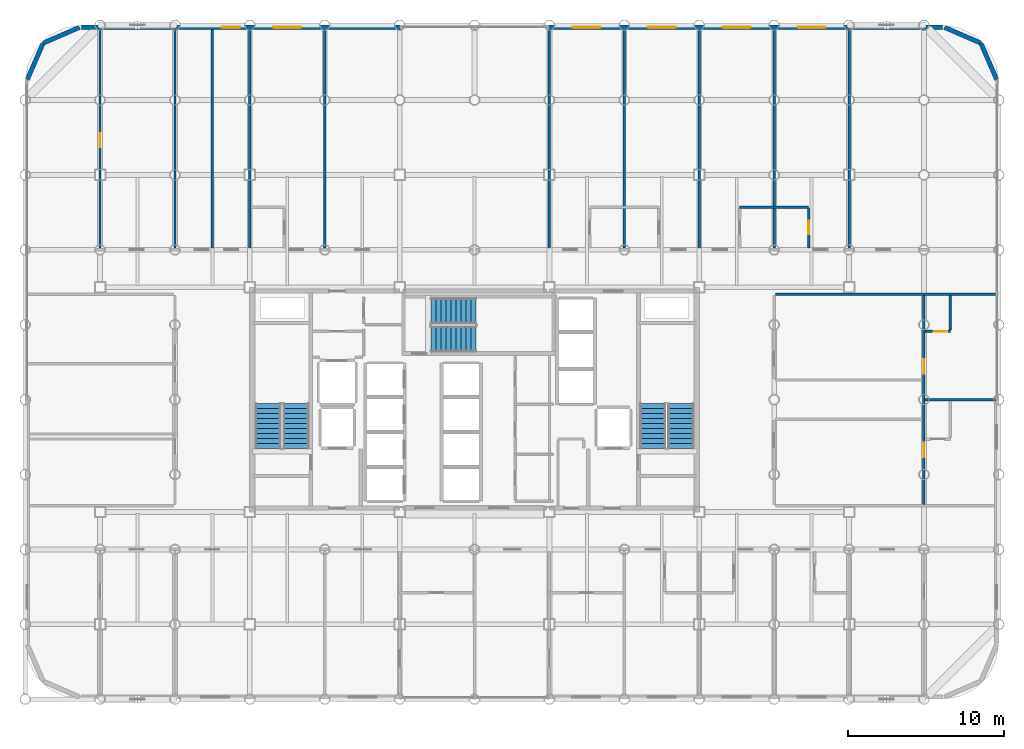
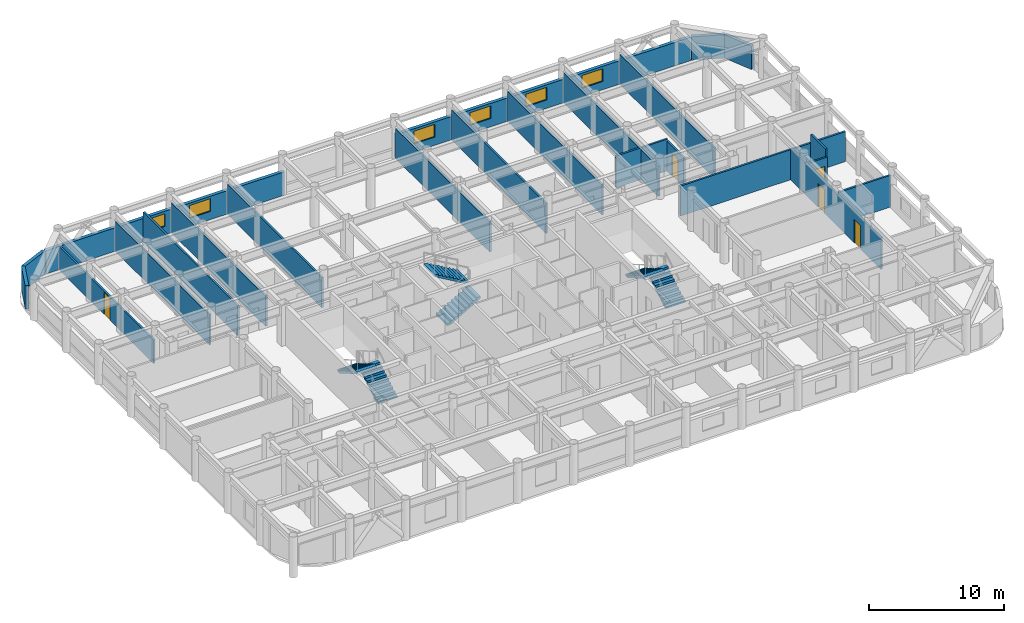
# One storey, part 21 of 22: 23 walls, 6 stair flights, 6 windows, 5 doors, 11 openings, 3 elements without a shape of their own.
"""IFC4 building model written with IfcOpenShell, lengths in metres."""

from ifc_helpers import new_model, si_unit, direction, frame, frame_2d, origin, place, context, subcontext, project, spatial, polyline, rectangle, outline, extrude, material, layer, layer_set, type_object, element, fill, aggregate, save


model = new_model("IFC4")

# Units and contexts
model_context = context("Model", 3, precision=1e-05, world=origin(), true_north=direction((0.0, 1.0)))
body_context = subcontext(model_context, "Body", "Model", "MODEL_VIEW")
ifc_project = project(units=[si_unit("LENGTHUNIT", "METRE"), si_unit("AREAUNIT", "SQUARE_METRE"), si_unit("VOLUMEUNIT", "CUBIC_METRE"), si_unit("PLANEANGLEUNIT", "RADIAN"), si_unit("MASSUNIT", "GRAM", prefix="KILO")], contexts=[model_context])

# Site, building, storey
site_placement = place(None, origin())
site = spatial("IfcSite", under=ifc_project, at=site_placement, CompositionType="ELEMENT")
building_placement = place(site_placement, origin())
building = spatial("IfcBuilding", under=site, at=building_placement, Name="Kallvorn Hotel Tower", CompositionType="ELEMENT")
storey_placement = place(building_placement, frame((0.0, 0.0, 117.39990234375)))
storey = spatial("IfcBuildingStorey", under=building, at=storey_placement, Name="L28", CompositionType="ELEMENT", Elevation=117.39990234375)

# Wall
ifc_material_1 = material(Name="Fire-rated double-layer acoustic gypsum drywall EI 60")
ifc_layer_1 = layer(ifc_material_1, 0.159912109375)
ifc_layer_set_1 = layer_set([ifc_layer_1], Name="WL_DEMISE_160")
wall_type_1 = type_object("IfcWallType", Name="WL_DEMISE_160", PredefinedType="PARTITIONING", material=ifc_layer_set_1)
wall_1_placement = place(storey_placement, frame((28.8798828125, 0.0, 0.0), z_axis=(0.0, 0.0, 1.0), x_axis=(1.0, 0.0, 0.0)))
element("IfcWall", 1, at=wall_1_placement, inside=storey, type_object=wall_type_1, Name="L28 Suite 2802 E Andean Twin Room Partition", PredefinedType="PARTITIONING", context=body_context, shape_type="SweptSolid", body=[
    extrude(rectangle(XDim=4.550048828125, YDim=0.159912109375, at=frame_2d((2.27490234375, 0.0))), origin(), (0.0, 0.0, 1.0), 2.8701171875),
])

# Wall, opening, door
wall_2_placement = place(storey_placement, frame((28.8798828125, 4.373291015625, 0.0), z_axis=(0.0, 0.0, 1.0), x_axis=(1.0, 0.0, 0.0)))
wall_2 = element("IfcWall", 2, at=wall_2_placement, inside=storey, type_object=wall_type_1, Name="L28 Suite 2802 E Andean Twin Room Partition", PredefinedType="PARTITIONING", context=body_context, shape_type="SweptSolid", body=[
    extrude(rectangle(XDim=1.6201171875, YDim=0.159912109375, at=frame_2d((0.81005859375, 0.0))), origin(), (0.0, 0.0, 1.0), 2.8701171875),
])
opening_1_placement = place(wall_2_placement, frame((0.5400390625, 0.0, 0.0)))
opening_1 = element("IfcOpeningElement", 3, at=opening_1_placement, cuts=wall_2, Name="Opening BD-I", PredefinedType="OPENING", context=body_context, shape_type="SweptSolid", body=[
    extrude(rectangle(XDim=0.860107421875, YDim=2.10009765625, at=frame_2d((0.43017578125, 1.050048828125))), frame((0.0, 0.094970703125, 0.0), z_axis=(0.0, -1.0, 0.0), x_axis=(1.0, 0.0, 0.0)), (0.0, 0.0, 1.0), 0.18994140625),
])
ifc_material_2 = material(Name="Solid-core walnut veneer fire-rated timber door leaf", Category="wood")
door_type_1 = type_object("IfcDoorType", Name="DR_BATH_860x2100", OperationType="NOTDEFINED", PredefinedType="DOOR", material=ifc_material_2)
door_1_placement = place(opening_1_placement, origin())
door_1 = element("IfcDoor", 4, at=door_1_placement, inside=storey, type_object=door_type_1, Name="L28 Suite 2802 En-Suite Bathroom Door", OperationType="SINGLE_SWING_RIGHT", OverallHeight=2.10009765625, OverallWidth=0.860107421875, PredefinedType="DOOR", context=body_context, shape_type="SweptSolid", body=[
    extrude(rectangle(XDim=0.860107421875, YDim=2.10009765625, at=frame_2d((0.43017578125, 1.050048828125))), frame((0.0, 0.02490234375, 0.0), z_axis=(0.0, -1.0, 0.0), x_axis=(1.0, 0.0, 0.0)), (0.0, 0.0, 1.0), 0.050048828125),
])
fill(opening_1, door_1)

# Walls
wall_3_placement = place(storey_placement, frame((19.280029296875, 6.75, 0.0), z_axis=(0.0, 0.0, 1.0), x_axis=(1.0, 0.0, 0.0)))
element("IfcWall", 5, at=wall_3_placement, inside=storey, type_object=wall_type_1, Name="L28 Suite 2802 E Andean Twin Room Partition", PredefinedType="PARTITIONING", context=body_context, shape_type="SweptSolid", body=[
    extrude(rectangle(XDim=14.14990234375, YDim=0.159912109375, at=frame_2d((7.074951171875, 0.0))), origin(), (0.0, 0.0, 1.0), 2.72021484375),
])
wall_4_placement = place(storey_placement, frame((16.989990234375, 12.320068359375, 0.0), z_axis=(0.0, 0.0, 1.0), x_axis=(1.0, 0.0, 0.0)))
element("IfcWall", 6, at=wall_4_placement, inside=storey, type_object=wall_type_1, Name="L28 Suite 2811 Standard Twin Room Partition", PredefinedType="PARTITIONING", context=body_context, shape_type="SweptSolid", body=[
    extrude(rectangle(XDim=4.419921875, YDim=0.159912109375, at=frame_2d((2.2099609375, 0.0))), origin(), (0.0, 0.0, 1.0), 2.8701171875),
])
for number, where, z_axis, x_axis, name in (
    (7, (-14.39990234375, 9.719970703125, 0.0), (0.0, 0.0, 1.0), (0.0, 1.0, 0.0), "L28 Suite 2808 Standard Twin Room Partition"),
    (8, (-9.60009765625, 9.719970703125, 0.0), (0.0, 0.0, 1.0), (0.0, 1.0, 0.0), "L28 Suite 2808 Standard Twin Room Partition"),
    (9, (4.800048828125, 9.719970703125, 0.0), (0.0, 0.0, 1.0), (0.0, 1.0, 0.0), "L28 Suite 2809 Standard Twin Room Partition"),
    (10, (9.60009765625, 9.719970703125, 0.0), (0.0, 0.0, 1.0), (0.0, 1.0, 0.0), "L28 Suite 2809 Standard Twin Room Partition"),
    (11, (14.39990234375, 9.719970703125, 0.0), (0.0, 0.0, 1.0), (0.0, 1.0, 0.0), "L28 Suite 2810 Standard Twin Room Partition"),
    (12, (19.199951171875, 9.719970703125, 0.0), (0.0, 0.0, 1.0), (0.0, 1.0, 0.0), "L28 Suite 2811 Standard Twin Room Partition"),
):
    element("IfcWall", number, at=place(storey_placement, frame(where, z_axis=z_axis, x_axis=x_axis)), inside=storey, type_object=wall_type_1, Name=name, PredefinedType="PARTITIONING", context=body_context, shape_type="SweptSolid", body=[
        extrude(rectangle(XDim=13.989990234375, YDim=0.159912109375, at=frame_2d((6.9951171875, 0.0))), origin(), (0.0, 0.0, 1.0), 2.72021484375),
    ])

# Wall, opening, door
wall_5_placement = place(storey_placement, frame((21.409912109375, 9.719970703125, 0.0), z_axis=(0.0, 0.0, 1.0), x_axis=(0.0, 1.0, 0.0)))
wall_5 = element("IfcWall", 13, at=wall_5_placement, inside=storey, type_object=wall_type_1, Name="L28 Suite 2812 Standard Twin Room Partition", PredefinedType="PARTITIONING", context=body_context, shape_type="SweptSolid", body=[
    extrude(rectangle(XDim=2.51513671875, YDim=0.159912109375, at=frame_2d((1.257568359375, 0.0))), origin(), (0.0, 0.0, 1.0), 2.72021484375),
])
opening_2_placement = place(wall_5_placement, frame((0.8701171875, 0.0, 0.0)))
opening_2 = element("IfcOpeningElement", 14, at=opening_2_placement, cuts=wall_5, Name="Opening BD-I", PredefinedType="OPENING", context=body_context, shape_type="SweptSolid", body=[
    extrude(rectangle(XDim=0.860107421875, YDim=2.10009765625, at=frame_2d((0.43017578125, 1.050048828125))), frame((0.0, 0.094970703125, 0.0), z_axis=(0.0, -1.0, 0.0), x_axis=(1.0, 0.0, 0.0)), (0.0, 0.0, 1.0), 0.18994140625),
])
door_2_placement = place(opening_2_placement, origin())
door_2 = element("IfcDoor", 15, at=door_2_placement, inside=storey, type_object=door_type_1, Name="L28 Suite 2812 En-Suite Bathroom Door", OperationType="SINGLE_SWING_LEFT", OverallHeight=2.10009765625, OverallWidth=0.860107421875, PredefinedType="DOOR", context=body_context, shape_type="SweptSolid", body=[
    extrude(rectangle(XDim=0.860107421875, YDim=2.10009765625, at=frame_2d((0.43017578125, 1.050048828125))), frame((0.0, 0.02490234375, 0.0), z_axis=(0.0, -1.0, 0.0), x_axis=(1.0, 0.0, 0.0)), (0.0, 0.0, 1.0), 0.050048828125),
])
fill(opening_2, door_2)

# Wall
wall_6_placement = place(storey_placement, frame((24.0, 9.719970703125, 0.0), z_axis=(0.0, 0.0, 1.0), x_axis=(0.0, 1.0, 0.0)))
element("IfcWall", 16, at=wall_6_placement, inside=storey, type_object=wall_type_1, Name="L28 Suite 2812 Standard Twin Room Partition", PredefinedType="PARTITIONING", context=body_context, shape_type="SweptSolid", body=[
    extrude(rectangle(XDim=13.989990234375, YDim=0.159912109375, at=frame_2d((6.9951171875, 0.0))), origin(), (0.0, 0.0, 1.0), 2.72021484375),
])

# Wall, openings, doors
wall_7_placement = place(storey_placement, frame((28.800048828125, -6.715087890625, 0.0), z_axis=(0.0, 0.0, 1.0), x_axis=(0.0, 1.0, 0.0)))
wall_7 = element("IfcWall", 17, at=wall_7_placement, inside=storey, type_object=wall_type_1, Name="L28 Suite 2801 E Loggia King Room Partition", PredefinedType="PARTITIONING", context=body_context, shape_type="SweptSolid", body=[
    extrude(rectangle(XDim=13.380126953125, YDim=0.159912109375, at=frame_2d((6.68994140625, 0.0))), origin(), (0.0, 0.0, 1.0), 2.8701171875),
])
opening_3_placement = place(wall_7_placement, frame((3.034912109375, 0.0, 0.0)))
opening_3 = element("IfcOpeningElement", 18, at=opening_3_placement, cuts=wall_7, Name="Opening GD1", PredefinedType="OPENING", context=body_context, shape_type="SweptSolid", body=[
    extrude(rectangle(XDim=0.919921875, YDim=2.14990234375, at=frame_2d((0.4599609375, 1.074951171875))), frame((0.0, 0.094970703125, 0.0), z_axis=(0.0, -1.0, 0.0), x_axis=(1.0, 0.0, 0.0)), (0.0, 0.0, 1.0), 0.18994140625),
])
opening_4_placement = place(wall_7_placement, frame((8.385009765625, 0.0, 0.0)))
opening_4 = element("IfcOpeningElement", 19, at=opening_4_placement, cuts=wall_7, Name="Opening GD1", PredefinedType="OPENING", context=body_context, shape_type="SweptSolid", body=[
    extrude(rectangle(XDim=0.919921875, YDim=2.14990234375, at=frame_2d((0.4599609375, 1.074951171875))), frame((0.0, 0.094970703125, 0.0), z_axis=(0.0, -1.0, 0.0), x_axis=(1.0, 0.0, 0.0)), (0.0, 0.0, 1.0), 0.18994140625),
])
ifc_material_3 = material(Name="Solid-core walnut veneer fire-rated timber door leaf", Category="wood")
door_type_2 = type_object("IfcDoorType", Name="DR_GUEST_920x2150", OperationType="NOTDEFINED", PredefinedType="DOOR", material=ifc_material_3)
door_3_placement = place(opening_3_placement, origin())
door_3 = element("IfcDoor", 20, at=door_3_placement, inside=storey, type_object=door_type_2, Name="L28 Suite 2801 E Loggia King Room Door", OperationType="SINGLE_SWING_LEFT", OverallHeight=2.14990234375, OverallWidth=0.919921875, PredefinedType="DOOR", context=body_context, shape_type="SweptSolid", body=[
    extrude(rectangle(XDim=0.919921875, YDim=2.14990234375, at=frame_2d((0.4599609375, 1.074951171875))), frame((0.0, 0.02490234375, 0.0), z_axis=(0.0, -1.0, 0.0), x_axis=(1.0, 0.0, 0.0)), (0.0, 0.0, 1.0), 0.050048828125),
])
fill(opening_3, door_3)
door_4_placement = place(opening_4_placement, origin())
door_4 = element("IfcDoor", 21, at=door_4_placement, inside=storey, type_object=door_type_2, Name="L28 Suite 2802 E Andean Twin Room Door", OperationType="SINGLE_SWING_RIGHT", OverallHeight=2.14990234375, OverallWidth=0.919921875, PredefinedType="DOOR", context=body_context, shape_type="SweptSolid", body=[
    extrude(rectangle(XDim=0.919921875, YDim=2.14990234375, at=frame_2d((0.4599609375, 1.074951171875))), frame((0.0, 0.02490234375, 0.0), z_axis=(0.0, -1.0, 0.0), x_axis=(1.0, 0.0, 0.0)), (0.0, 0.0, 1.0), 0.050048828125),
])
fill(opening_4, door_4)

# Walls
wall_8_placement = place(storey_placement, frame((30.5, 4.458251953125, 0.0), z_axis=(0.0, 0.0, 1.0), x_axis=(0.0, 1.0, 0.0)))
element("IfcWall", 22, at=wall_8_placement, inside=storey, type_object=wall_type_1, Name="L28 Suite 2802 E Andean Twin Room Partition", PredefinedType="PARTITIONING", context=body_context, shape_type="SweptSolid", body=[
    extrude(rectangle(XDim=2.206787109375, YDim=0.159912109375, at=frame_2d((1.103515625, 0.0))), origin(), (0.0, 0.0, 1.0), 3.52001953125),
])
ifc_material_4 = material(Name="Precast basalt-clad insulated concrete wall C40/50", Category="masonry")
ifc_layer_2 = layer(ifc_material_4, 0.280029296875)
ifc_layer_set_2 = layer_set([ifc_layer_2], Name="WL_EXT_LOGGIA_280")
wall_type_2 = type_object("IfcWallType", Name="WL_EXT_LOGGIA_280", PredefinedType="SOLIDWALL", material=ifc_layer_set_2)
wall_9_placement = place(storey_placement, frame((33.4580078125, 20.520751953125, 0.0), z_axis=(0.0, 0.0, 1.0), x_axis=(-0.398792985289, 0.917040977756, 0.0)))
element("IfcWall", 23, at=wall_9_placement, inside=storey, type_object=wall_type_2, Name="L28 Rounded Corner Exterior Wall NE1", PredefinedType="SOLIDWALL", context=body_context, shape_type="SweptSolid", body=[
    extrude(rectangle(XDim=2.536376953125, YDim=0.280029296875, at=frame_2d((1.26806640625, 0.0))), origin(), (0.0, 0.0, 1.0), 2.1201171875),
])
for number, where, z_axis, x_axis, name in (
    (24, (32.446533203125, 22.8466796875, 0.0), (0.0, 0.0, 1.0), (-0.917060872934, 0.398747232384, 0.0), "L28 Rounded Corner Exterior Wall NE2"),
    (25, (-25.32080078125, 23.85791015625, 0.0), (0.0, 0.0, 1.0), (-0.917060872934, -0.398747232384, 0.0), "L28 Rounded Corner Exterior Wall NW1"),
):
    element("IfcWall", number, at=place(storey_placement, frame(where, z_axis=z_axis, x_axis=x_axis)), inside=storey, type_object=wall_type_2, Name=name, PredefinedType="SOLIDWALL", context=body_context, shape_type="SweptSolid", body=[
        extrude(rectangle(XDim=2.5361328125, YDim=0.280029296875, at=frame_2d((1.26806640625, 0.0))), origin(), (0.0, 0.0, 1.0), 2.1201171875),
    ])
wall_10_placement = place(storey_placement, frame((-27.646484375, 22.8466796875, 0.0), z_axis=(0.0, 0.0, 1.0), x_axis=(-0.398792985289, -0.917040977756, 0.0)))
element("IfcWall", 26, at=wall_10_placement, inside=storey, type_object=wall_type_2, Name="L28 Rounded Corner Exterior Wall NW2", PredefinedType="SOLIDWALL", context=body_context, shape_type="SweptSolid", body=[
    extrude(rectangle(XDim=2.536376953125, YDim=0.280029296875, at=frame_2d((1.26806640625, 0.0))), origin(), (0.0, 0.0, 1.0), 2.1201171875),
])

# Wall, openings, windows
wall_11_placement = place(storey_placement, frame((-25.199951171875, 23.860107421875, 0.0), z_axis=(0.0, 0.0, 1.0), x_axis=(1.0, 0.0, 0.0)))
wall_11 = element("IfcWall", 27, at=wall_11_placement, inside=storey, type_object=wall_type_2, Name="L28 Exterior Envelope Wall EW-L28-NW", PredefinedType="SOLIDWALL", context=body_context, shape_type="SweptSolid", body=[
    extrude(rectangle(XDim=20.449951171875, YDim=0.280029296875, at=frame_2d((10.22509765625, 0.0))), origin(), (0.0, 0.0, 1.0), 2.1201171875),
])
opening_5_placement = place(wall_11_placement, frame((9.0, 0.0, 0.75)))
opening_5 = element("IfcOpeningElement", 28, at=opening_5_placement, cuts=wall_11, Name="Opening W06A", PredefinedType="OPENING", context=body_context, shape_type="SweptSolid", body=[
    extrude(rectangle(XDim=1.199951171875, YDim=1.14990234375, at=frame_2d((0.60009765625, 0.574951171875))), frame((0.0, 0.155029296875, 0.0), z_axis=(0.0, -1.0, 0.0), x_axis=(1.0, 0.0, 0.0)), (0.0, 0.0, 1.0), 0.31005859375),
])
opening_6_placement = place(wall_11_placement, frame((12.300048828125, 0.0, 0.75)))
opening_6 = element("IfcOpeningElement", 29, at=opening_6_placement, cuts=wall_11, Name="Opening W04A", PredefinedType="OPENING", context=body_context, shape_type="SweptSolid", body=[
    extrude(rectangle(XDim=1.800048828125, YDim=1.14990234375, at=frame_2d((0.89990234375, 0.574951171875))), frame((0.0, 0.155029296875, 0.0), z_axis=(0.0, -1.0, 0.0), x_axis=(1.0, 0.0, 0.0)), (0.0, 0.0, 1.0), 0.31005859375),
])
ifc_material_5 = material(Name="Triple-glazed low-e acoustic solar-control dark glass", Category="glass")
window_type_1 = type_object("IfcWindowType", Name="WN_HTL_1200x1150", PartitioningType="SINGLE_PANEL", PredefinedType="WINDOW", material=ifc_material_5)
window_1_placement = place(opening_5_placement, origin())
window_1 = element("IfcWindow", 30, at=window_1_placement, inside=storey, type_object=window_type_1, Name="L28 Guestroom Exterior Window 10", OverallHeight=1.14990234375, OverallWidth=1.199951171875, PartitioningType="SINGLE_PANEL", PredefinedType="WINDOW", context=body_context, shape_type="SweptSolid", body=[
    extrude(rectangle(XDim=1.199951171875, YDim=1.14990234375, at=frame_2d((0.60009765625, 0.574951171875))), frame((0.0, 0.030029296875, 0.0), z_axis=(0.0, -1.0, 0.0), x_axis=(1.0, 0.0, 0.0)), (0.0, 0.0, 1.0), 0.06005859375),
])
fill(opening_5, window_1)
ifc_material_6 = material(Name="Double-glazed low-e solar-control dark glass", Category="glass")
window_type_2 = type_object("IfcWindowType", Name="WN_HTL_1800x1150", PartitioningType="SINGLE_PANEL", PredefinedType="WINDOW", material=ifc_material_6)
window_2_placement = place(opening_6_placement, origin())
window_2 = element("IfcWindow", 31, at=window_2_placement, inside=storey, type_object=window_type_2, Name="L28 Guestroom Exterior Window 11", OverallHeight=1.14990234375, OverallWidth=1.800048828125, PartitioningType="SINGLE_PANEL", PredefinedType="WINDOW", context=body_context, shape_type="SweptSolid", body=[
    extrude(rectangle(XDim=1.800048828125, YDim=1.14990234375, at=frame_2d((0.89990234375, 0.574951171875))), frame((0.0, 0.030029296875, 0.0), z_axis=(0.0, -1.0, 0.0), x_axis=(1.0, 0.0, 0.0)), (0.0, 0.0, 1.0), 0.06005859375),
])
fill(opening_6, window_2)

wall_12_placement = place(storey_placement, frame((4.75, 23.860107421875, 0.0), z_axis=(0.0, 0.0, 1.0), x_axis=(1.0, 0.0, 0.0)))
wall_12 = element("IfcWall", 32, at=wall_12_placement, inside=storey, type_object=wall_type_2, Name="L28 Exterior Envelope Wall EW-L28-NE", PredefinedType="SOLIDWALL", context=body_context, shape_type="SweptSolid", body=[
    extrude(rectangle(XDim=25.25, YDim=0.280029296875, at=frame_2d((12.625, 0.0))), origin(), (0.0, 0.0, 1.0), 2.1201171875),
])
opening_7_placement = place(wall_12_placement, frame((1.550048828125, 0.0, 0.75)))
opening_7 = element("IfcOpeningElement", 33, at=opening_7_placement, cuts=wall_12, Name="Opening W04A", PredefinedType="OPENING", context=body_context, shape_type="SweptSolid", body=[
    extrude(rectangle(XDim=1.800048828125, YDim=1.14990234375, at=frame_2d((0.89990234375, 0.574951171875))), frame((0.0, 0.155029296875, 0.0), z_axis=(0.0, -1.0, 0.0), x_axis=(1.0, 0.0, 0.0)), (0.0, 0.0, 1.0), 0.31005859375),
])
opening_8_placement = place(wall_12_placement, frame((6.35009765625, 0.0, 0.75)))
opening_8 = element("IfcOpeningElement", 34, at=opening_8_placement, cuts=wall_12, Name="Opening W04A", PredefinedType="OPENING", context=body_context, shape_type="SweptSolid", body=[
    extrude(rectangle(XDim=1.800048828125, YDim=1.14990234375, at=frame_2d((0.89990234375, 0.574951171875))), frame((0.0, 0.155029296875, 0.0), z_axis=(0.0, -1.0, 0.0), x_axis=(1.0, 0.0, 0.0)), (0.0, 0.0, 1.0), 0.31005859375),
])
opening_9_placement = place(wall_12_placement, frame((11.14990234375, 0.0, 0.75)))
opening_9 = element("IfcOpeningElement", 35, at=opening_9_placement, cuts=wall_12, Name="Opening W04A", PredefinedType="OPENING", context=body_context, shape_type="SweptSolid", body=[
    extrude(rectangle(XDim=1.800048828125, YDim=1.14990234375, at=frame_2d((0.89990234375, 0.574951171875))), frame((0.0, 0.155029296875, 0.0), z_axis=(0.0, -1.0, 0.0), x_axis=(1.0, 0.0, 0.0)), (0.0, 0.0, 1.0), 0.31005859375),
])
opening_10_placement = place(wall_12_placement, frame((15.949951171875, 0.0, 0.75)))
opening_10 = element("IfcOpeningElement", 36, at=opening_10_placement, cuts=wall_12, Name="Opening W04A", PredefinedType="OPENING", context=body_context, shape_type="SweptSolid", body=[
    extrude(rectangle(XDim=1.800048828125, YDim=1.14990234375, at=frame_2d((0.89990234375, 0.574951171875))), frame((0.0, 0.155029296875, 0.0), z_axis=(0.0, -1.0, 0.0), x_axis=(1.0, 0.0, 0.0)), (0.0, 0.0, 1.0), 0.31005859375),
])
window_3_placement = place(opening_7_placement, origin())
window_3 = element("IfcWindow", 37, at=window_3_placement, inside=storey, type_object=window_type_2, Name="L28 Guestroom Exterior Window 12", OverallHeight=1.14990234375, OverallWidth=1.800048828125, PartitioningType="SINGLE_PANEL", PredefinedType="WINDOW", context=body_context, shape_type="SweptSolid", body=[
    extrude(rectangle(XDim=1.800048828125, YDim=1.14990234375, at=frame_2d((0.89990234375, 0.574951171875))), frame((0.0, 0.030029296875, 0.0), z_axis=(0.0, -1.0, 0.0), x_axis=(1.0, 0.0, 0.0)), (0.0, 0.0, 1.0), 0.06005859375),
])
fill(opening_7, window_3)
window_4_placement = place(opening_8_placement, origin())
window_4 = element("IfcWindow", 38, at=window_4_placement, inside=storey, type_object=window_type_2, Name="L28 Guestroom Exterior Window 13", OverallHeight=1.14990234375, OverallWidth=1.800048828125, PartitioningType="SINGLE_PANEL", PredefinedType="WINDOW", context=body_context, shape_type="SweptSolid", body=[
    extrude(rectangle(XDim=1.800048828125, YDim=1.14990234375, at=frame_2d((0.89990234375, 0.574951171875))), frame((0.0, 0.030029296875, 0.0), z_axis=(0.0, -1.0, 0.0), x_axis=(1.0, 0.0, 0.0)), (0.0, 0.0, 1.0), 0.06005859375),
])
fill(opening_8, window_4)
window_5_placement = place(opening_9_placement, origin())
window_5 = element("IfcWindow", 39, at=window_5_placement, inside=storey, type_object=window_type_2, Name="L28 Guestroom Exterior Window 14", OverallHeight=1.14990234375, OverallWidth=1.800048828125, PartitioningType="SINGLE_PANEL", PredefinedType="WINDOW", context=body_context, shape_type="SweptSolid", body=[
    extrude(rectangle(XDim=1.800048828125, YDim=1.14990234375, at=frame_2d((0.89990234375, 0.574951171875))), frame((0.0, 0.030029296875, 0.0), z_axis=(0.0, -1.0, 0.0), x_axis=(1.0, 0.0, 0.0)), (0.0, 0.0, 1.0), 0.06005859375),
])
fill(opening_9, window_5)
window_6_placement = place(opening_10_placement, origin())
window_6 = element("IfcWindow", 40, at=window_6_placement, inside=storey, type_object=window_type_2, Name="L28 Guestroom Exterior Window 15", OverallHeight=1.14990234375, OverallWidth=1.800048828125, PartitioningType="SINGLE_PANEL", PredefinedType="WINDOW", context=body_context, shape_type="SweptSolid", body=[
    extrude(rectangle(XDim=1.800048828125, YDim=1.14990234375, at=frame_2d((0.89990234375, 0.574951171875))), frame((0.0, 0.030029296875, 0.0), z_axis=(0.0, -1.0, 0.0), x_axis=(1.0, 0.0, 0.0)), (0.0, 0.0, 1.0), 0.06005859375),
])
fill(opening_10, window_6)

# Wall, opening, door
ifc_material_7 = material(Name="Fire-rated double-layer acoustic gypsum drywall EI 60")
ifc_layer_3 = layer(ifc_material_7, 0.14990234375)
ifc_layer_set_3 = layer_set([ifc_layer_3], Name="WL_PART_150")
wall_type_3 = type_object("IfcWallType", Name="WL_PART_150", PredefinedType="PARTITIONING", material=ifc_layer_set_3)
wall_13_placement = place(storey_placement, frame((-24.0, 9.719970703125, 0.0), z_axis=(0.0, 0.0, 1.0), x_axis=(0.0, 1.0, 0.0)))
wall_13 = element("IfcWall", 41, at=wall_13_placement, inside=storey, type_object=wall_type_3, Name="L28 L28 North-West Fitness Gymnasium A Partition", PredefinedType="PARTITIONING", context=body_context, shape_type="SweptSolid", body=[
    extrude(rectangle(XDim=13.989990234375, YDim=0.14990234375, at=frame_2d((6.9951171875, 0.0))), origin(), (0.0, 0.0, 1.0), 2.1201171875),
])
opening_11_placement = place(wall_13_placement, frame((6.465087890625, 0.0, 0.0)))
opening_11 = element("IfcOpeningElement", 42, at=opening_11_placement, cuts=wall_13, Name="Opening SVD1A", PredefinedType="OPENING", context=body_context, shape_type="SweptSolid", body=[
    extrude(rectangle(XDim=0.89990234375, YDim=2.02001953125, at=frame_2d((0.449951171875, 1.010009765625))), frame((0.0, 0.08984375, 0.0), z_axis=(0.0, -1.0, 0.0), x_axis=(1.0, 0.0, 0.0)), (0.0, 0.0, 1.0), 0.179931640625),
])
ifc_material_8 = material(Name="Galvanised painted steel fire-rated door assembly", Category="steel")
door_type_3 = type_object("IfcDoorType", Name="DR_SERV_900x2020", OperationType="NOTDEFINED", PredefinedType="DOOR", material=ifc_material_8)
door_5_placement = place(opening_11_placement, origin())
door_5 = element("IfcDoor", 43, at=door_5_placement, inside=storey, type_object=door_type_3, Name="L28 L28 North-West Fitness Gymnasium A Door", OperationType="SINGLE_SWING_RIGHT", OverallHeight=2.02001953125, OverallWidth=0.89990234375, PredefinedType="DOOR", context=body_context, shape_type="SweptSolid", body=[
    extrude(rectangle(XDim=0.89990234375, YDim=2.02001953125, at=frame_2d((0.449951171875, 1.010009765625))), frame((0.0, 0.02490234375, 0.0), z_axis=(0.0, -1.0, 0.0), x_axis=(1.0, 0.0, 0.0)), (0.0, 0.0, 1.0), 0.050048828125),
])
fill(opening_11, door_5)

# Walls
for number, where, z_axis, x_axis, name in (
    (44, (-19.199951171875, 9.719970703125, 0.0), (0.0, 0.0, 1.0), (0.0, 1.0, 0.0), "L28 Housekeeping and Linen Room Partition"),
    (45, (-16.800048828125, 9.719970703125, 0.0), (0.0, 0.0, 1.0), (0.0, 1.0, 0.0), "L28 Guest Tea and Refreshment Bar Partition"),
):
    element("IfcWall", number, at=place(storey_placement, frame(where, z_axis=z_axis, x_axis=x_axis)), inside=storey, type_object=wall_type_3, Name=name, PredefinedType="PARTITIONING", context=body_context, shape_type="SweptSolid", body=[
        extrude(rectangle(XDim=13.989990234375, YDim=0.14990234375, at=frame_2d((6.9951171875, 0.0))), origin(), (0.0, 0.0, 1.0), 2.72021484375),
    ])

# Stair, stair flights
ifc_material_9 = material(Name="Precast concrete C40/50", Category="concrete")
stair_type = type_object("IfcStairType", Name="STR_CORE_DOGLEG", PredefinedType="HALF_TURN_STAIR", material=ifc_material_9)
stair_1_placement = place(storey_placement, origin())
stair_1 = element("IfcStair", 46, at=stair_1_placement, inside=storey, type_object=stair_type, Name="L28 Exit stair ST1", PredefinedType="HALF_TURN_STAIR")
ifc_material_10 = material(Name="Precast concrete C40/50", Category="concrete")
stair_flight_type = type_object("IfcStairFlightType", Name="FLT_CORE_1660", PredefinedType="STRAIGHT", material=ifc_material_10)
stair_flight_1_placement = place(storey_placement, frame((-11.429931640625, -3.139892578125, 0.0), z_axis=(0.0, 0.0, 1.0), x_axis=(0.0, 1.0, 0.0)))
stair_flight_1 = element("IfcStairFlight", 47, at=stair_flight_1_placement, type_object=stair_flight_type, Name="ST1 flight 1", NumberOfRisers=10, NumberOfTreads=9, PredefinedType="STRAIGHT", RiserHeight=0.185, TreadLength=0.32, context=body_context, shape_type="SweptSolid", body=[
    extrude(outline(polyline([(0.0, 0.0), (0.0, 0.18505859375), (0.320068359375, 0.18505859375), (0.320068359375, 0.3701171875), (0.639892578125, 0.3701171875), (0.639892578125, 0.554931640625), (0.9599609375, 0.554931640625), (0.9599609375, 0.739990234375), (1.280029296875, 0.739990234375), (1.280029296875, 0.925048828125), (1.60009765625, 0.925048828125), (1.60009765625, 1.110107421875), (1.919921875, 1.110107421875), (1.919921875, 1.294921875), (2.239990234375, 1.294921875), (2.239990234375, 1.47998046875), (2.56005859375, 1.47998046875), (2.56005859375, 1.6650390625), (2.8798828125, 1.6650390625), (2.8798828125, 1.85009765625), (2.8798828125, 1.491943359375), (0.299560546875, 0.0), (0.0, 0.0)])), frame((0.0, 0.830078125, 0.0), z_axis=(0.0, -1.0, 0.0), x_axis=(1.0, 0.0, 0.0)), (0.0, 0.0, 1.0), 1.659912109375),
])
stair_flight_2_placement = place(storey_placement, frame((-13.22998046875, -0.260009765625, 1.85009765625), z_axis=(0.0, 0.0, 1.0), x_axis=(0.0, -1.0, 0.0)))
stair_flight_2 = element("IfcStairFlight", 48, at=stair_flight_2_placement, type_object=stair_flight_type, Name="ST1 flight 2", NumberOfRisers=10, NumberOfTreads=9, PredefinedType="STRAIGHT", RiserHeight=0.185, TreadLength=0.32, context=body_context, shape_type="SweptSolid", body=[
    extrude(outline(polyline([(0.0, 0.0), (0.0, 0.18505859375), (0.320068359375, 0.18505859375), (0.320068359375, 0.3701171875), (0.639892578125, 0.3701171875), (0.639892578125, 0.554931640625), (0.9599609375, 0.554931640625), (0.9599609375, 0.739990234375), (1.280029296875, 0.739990234375), (1.280029296875, 0.925048828125), (1.60009765625, 0.925048828125), (1.60009765625, 1.110107421875), (1.919921875, 1.110107421875), (1.919921875, 1.294921875), (2.239990234375, 1.294921875), (2.239990234375, 1.47998046875), (2.56005859375, 1.47998046875), (2.56005859375, 1.6650390625), (2.8798828125, 1.6650390625), (2.8798828125, 1.85009765625), (2.8798828125, 1.491943359375), (0.299560546875, 0.0), (0.0, 0.0)])), frame((0.0, 0.830078125, 0.0), z_axis=(0.0, -1.0, 0.0), x_axis=(1.0, 0.0, 0.0)), (0.0, 0.0, 1.0), 1.659912109375),
])
aggregate(stair_1, [stair_flight_1, stair_flight_2])

stair_2_placement = place(storey_placement, origin())
stair_2 = element("IfcStair", 49, at=stair_2_placement, inside=storey, type_object=stair_type, Name="L28 Exit stair ST2", PredefinedType="HALF_TURN_STAIR")
stair_flight_3_placement = place(storey_placement, frame((13.22998046875, -3.139892578125, 0.0), z_axis=(0.0, 0.0, 1.0), x_axis=(0.0, 1.0, 0.0)))
stair_flight_3 = element("IfcStairFlight", 50, at=stair_flight_3_placement, type_object=stair_flight_type, Name="ST2 flight 1", NumberOfRisers=10, NumberOfTreads=9, PredefinedType="STRAIGHT", RiserHeight=0.185, TreadLength=0.32, context=body_context, shape_type="SweptSolid", body=[
    extrude(outline(polyline([(0.0, 0.0), (0.0, 0.18505859375), (0.320068359375, 0.18505859375), (0.320068359375, 0.3701171875), (0.639892578125, 0.3701171875), (0.639892578125, 0.554931640625), (0.9599609375, 0.554931640625), (0.9599609375, 0.739990234375), (1.280029296875, 0.739990234375), (1.280029296875, 0.925048828125), (1.60009765625, 0.925048828125), (1.60009765625, 1.110107421875), (1.919921875, 1.110107421875), (1.919921875, 1.294921875), (2.239990234375, 1.294921875), (2.239990234375, 1.47998046875), (2.56005859375, 1.47998046875), (2.56005859375, 1.6650390625), (2.8798828125, 1.6650390625), (2.8798828125, 1.85009765625), (2.8798828125, 1.491943359375), (0.299560546875, 0.0), (0.0, 0.0)])), frame((0.0, 0.830078125, 0.0), z_axis=(0.0, -1.0, 0.0), x_axis=(1.0, 0.0, 0.0)), (0.0, 0.0, 1.0), 1.659912109375),
])
stair_flight_4_placement = place(storey_placement, frame((11.429931640625, -0.260009765625, 1.85009765625), z_axis=(0.0, 0.0, 1.0), x_axis=(0.0, -1.0, 0.0)))
stair_flight_4 = element("IfcStairFlight", 51, at=stair_flight_4_placement, type_object=stair_flight_type, Name="ST2 flight 2", NumberOfRisers=10, NumberOfTreads=9, PredefinedType="STRAIGHT", RiserHeight=0.185, TreadLength=0.32, context=body_context, shape_type="SweptSolid", body=[
    extrude(outline(polyline([(0.0, 0.0), (0.0, 0.18505859375), (0.320068359375, 0.18505859375), (0.320068359375, 0.3701171875), (0.639892578125, 0.3701171875), (0.639892578125, 0.554931640625), (0.9599609375, 0.554931640625), (0.9599609375, 0.739990234375), (1.280029296875, 0.739990234375), (1.280029296875, 0.925048828125), (1.60009765625, 0.925048828125), (1.60009765625, 1.110107421875), (1.919921875, 1.110107421875), (1.919921875, 1.294921875), (2.239990234375, 1.294921875), (2.239990234375, 1.47998046875), (2.56005859375, 1.47998046875), (2.56005859375, 1.6650390625), (2.8798828125, 1.6650390625), (2.8798828125, 1.85009765625), (2.8798828125, 1.491943359375), (0.299560546875, 0.0), (0.0, 0.0)])), frame((0.0, 0.830078125, 0.0), z_axis=(0.0, -1.0, 0.0), x_axis=(1.0, 0.0, 0.0)), (0.0, 0.0, 1.0), 1.659912109375),
])
aggregate(stair_2, [stair_flight_3, stair_flight_4])

stair_3_placement = place(storey_placement, origin())
stair_3 = element("IfcStair", 52, at=stair_3_placement, inside=storey, type_object=stair_type, Name="L28 Exit stair ST3", PredefinedType="HALF_TURN_STAIR")
stair_flight_5_placement = place(storey_placement, frame((-2.7900390625, 3.8798828125, 0.0), z_axis=(0.0, 0.0, 1.0), x_axis=(1.0, 0.0, 0.0)))
stair_flight_5 = element("IfcStairFlight", 53, at=stair_flight_5_placement, type_object=stair_flight_type, Name="ST3 flight 1", NumberOfRisers=10, NumberOfTreads=9, PredefinedType="STRAIGHT", RiserHeight=0.185, TreadLength=0.32, context=body_context, shape_type="SweptSolid", body=[
    extrude(outline(polyline([(0.0, 0.0), (0.0, 0.18505859375), (0.320068359375, 0.18505859375), (0.320068359375, 0.3701171875), (0.639892578125, 0.3701171875), (0.639892578125, 0.554931640625), (0.9599609375, 0.554931640625), (0.9599609375, 0.739990234375), (1.280029296875, 0.739990234375), (1.280029296875, 0.925048828125), (1.60009765625, 0.925048828125), (1.60009765625, 1.110107421875), (1.919921875, 1.110107421875), (1.919921875, 1.294921875), (2.239990234375, 1.294921875), (2.239990234375, 1.47998046875), (2.56005859375, 1.47998046875), (2.56005859375, 1.6650390625), (2.8798828125, 1.6650390625), (2.8798828125, 1.85009765625), (2.8798828125, 1.491943359375), (0.299560546875, 0.0), (0.0, 0.0)])), frame((0.0, 0.830078125, 0.0), z_axis=(0.0, -1.0, 0.0), x_axis=(1.0, 0.0, 0.0)), (0.0, 0.0, 1.0), 1.659912109375),
])
stair_flight_6_placement = place(storey_placement, frame((0.090087890625, 5.679931640625, 1.85009765625), z_axis=(0.0, 0.0, 1.0), x_axis=(-1.0, 0.0, 0.0)))
stair_flight_6 = element("IfcStairFlight", 54, at=stair_flight_6_placement, type_object=stair_flight_type, Name="ST3 flight 2", NumberOfRisers=10, NumberOfTreads=9, PredefinedType="STRAIGHT", RiserHeight=0.185, TreadLength=0.32, context=body_context, shape_type="SweptSolid", body=[
    extrude(outline(polyline([(0.0, 0.0), (0.0, 0.18505859375), (0.320068359375, 0.18505859375), (0.320068359375, 0.3701171875), (0.639892578125, 0.3701171875), (0.639892578125, 0.554931640625), (0.9599609375, 0.554931640625), (0.9599609375, 0.739990234375), (1.280029296875, 0.739990234375), (1.280029296875, 0.925048828125), (1.60009765625, 0.925048828125), (1.60009765625, 1.110107421875), (1.919921875, 1.110107421875), (1.919921875, 1.294921875), (2.239990234375, 1.294921875), (2.239990234375, 1.47998046875), (2.56005859375, 1.47998046875), (2.56005859375, 1.6650390625), (2.8798828125, 1.6650390625), (2.8798828125, 1.85009765625), (2.8798828125, 1.491943359375), (0.299560546875, 0.0), (0.0, 0.0)])), frame((0.0, 0.830078125, 0.0), z_axis=(0.0, -1.0, 0.0), x_axis=(1.0, 0.0, 0.0)), (0.0, 0.0, 1.0), 1.659912109375),
])
aggregate(stair_3, [stair_flight_5, stair_flight_6])

save(model, "model.ifc")
